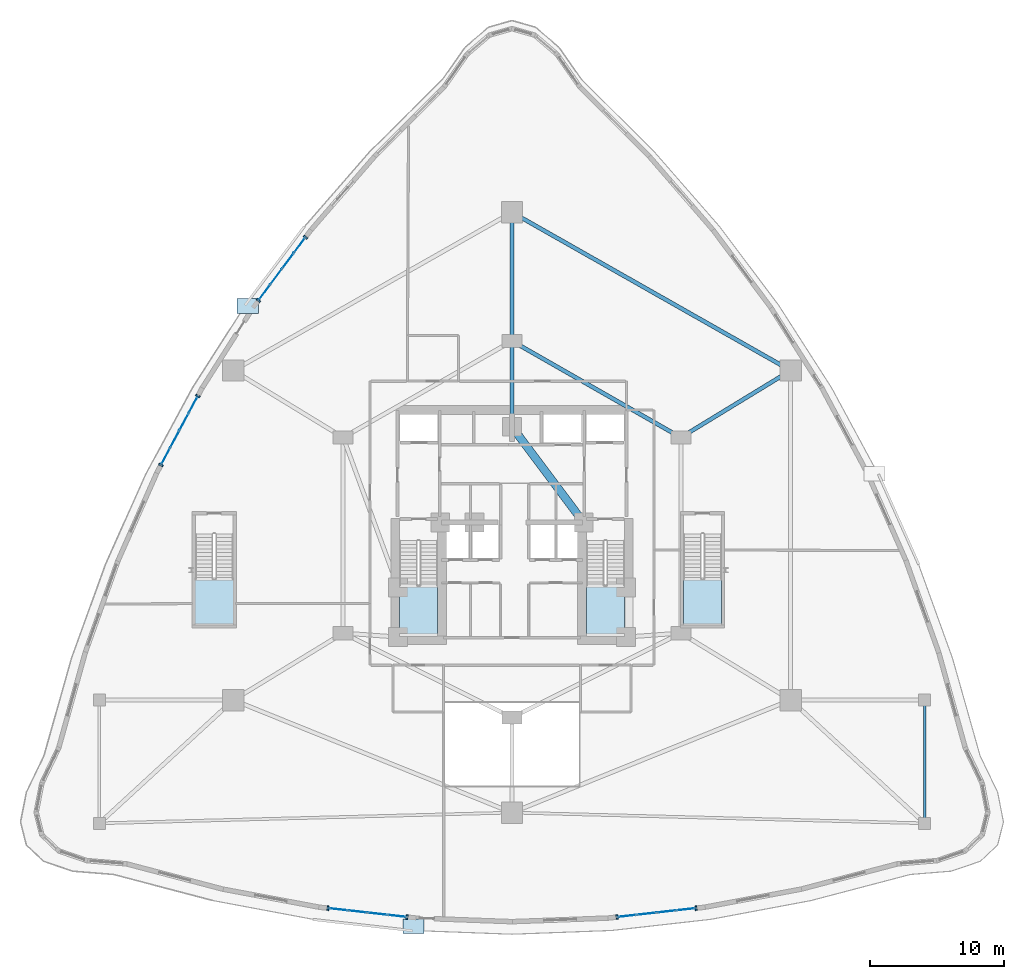
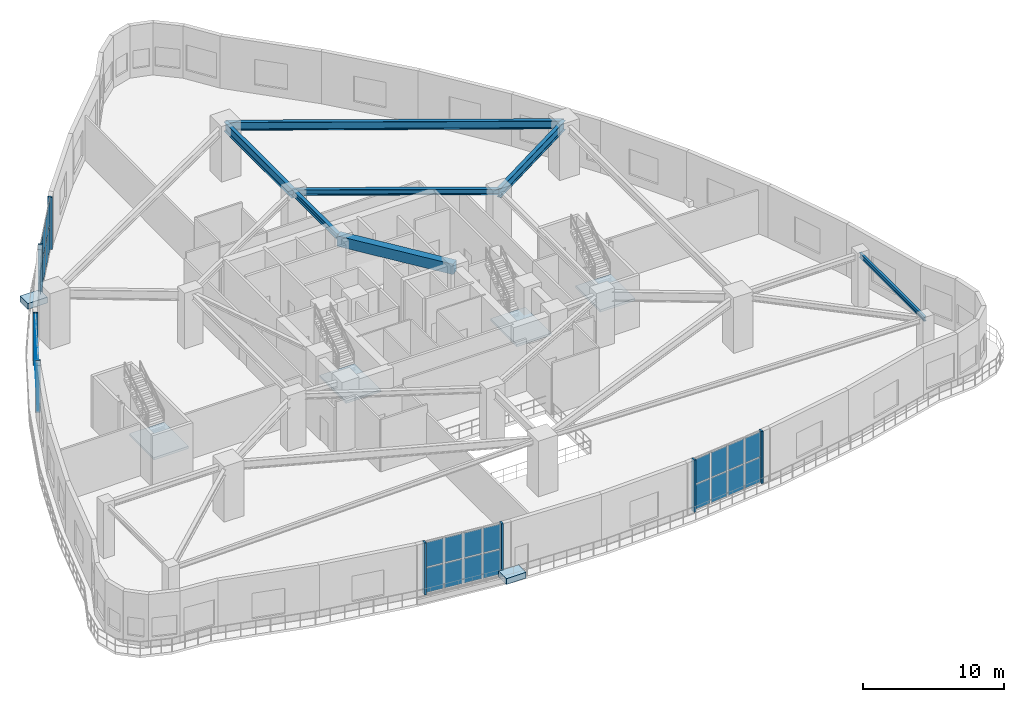
# One storey, part 13 of 25: 40 plates, 7 beams, 6 slabs, 8 elements without a shape of their own.
"""IFC4 building model written with IfcOpenShell, lengths in metres."""

from ifc_helpers import new_model, si_unit, direction, frame, origin, origin_2d, place, context, subcontext, project, spatial, polyline, rectangle, i_section, outline, extrude, material, layer, layer_set, material_profile, profile_set, type_object, element, aggregate, save


model = new_model("IFC4")

# Units and contexts
model_context = context("Model", 3, precision=1e-05, world=origin(), true_north=direction((0.0, 1.0)))
body_context = subcontext(model_context, "Body", "Model", "MODEL_VIEW")
ifc_project = project(units=[si_unit("LENGTHUNIT", "METRE"), si_unit("AREAUNIT", "SQUARE_METRE"), si_unit("VOLUMEUNIT", "CUBIC_METRE"), si_unit("PLANEANGLEUNIT", "RADIAN"), si_unit("MASSUNIT", "GRAM", prefix="KILO")], contexts=[model_context])

# Site, building, storey
site_placement = place(None, origin())
site = spatial("IfcSite", under=ifc_project, at=site_placement, CompositionType="ELEMENT")
building_placement = place(site_placement, origin())
building = spatial("IfcBuilding", under=site, at=building_placement, Name="Miruveldt Soraemaru", CompositionType="ELEMENT")
storey_placement = place(building_placement, frame((0.0, 0.0, 4.800048828125)))
storey = spatial("IfcBuildingStorey", under=building, at=storey_placement, Name="L02", CompositionType="ELEMENT", Elevation=4.800048828125)

# Beams
ifc_material_1 = material(Name="Concrete C60/75 (60 MPa)", Category="concrete")
ifc_material_profile_1 = material_profile(ifc_material_1, rectangle(XDim=0.60009765625, YDim=0.89990234375, at=origin_2d()), Name="Concrete C60/75 (60 MPa)", Category="concrete")
ifc_profile_set_1 = profile_set([ifc_material_profile_1], Name="Concrete C60/75 (60 MPa)")
beam_type_1 = type_object("IfcBeamType", Name="BM-RC-600x900", PredefinedType="BEAM", material=ifc_profile_set_1)
beam_1_placement = place(storey_placement, frame((49.35009765625, 44.050048828125, 4.050048828125), z_axis=(-0.599116023999, 0.800662219533, 0.0), x_axis=(-0.800662219533, -0.599116023999, 0.0)))
element("IfcBeam", 1, at=beam_1_placement, inside=storey, type_object=beam_type_1, Name="L02 Core Tie Beam 5", PredefinedType="BEAM", context=body_context, shape_type="SweptSolid", body=[
    extrude(rectangle(XDim=0.60009765625, YDim=0.89990234375, at=origin_2d()), origin(), (0.0, 0.0, 1.0), 8.929931640625),
])
ifc_material_2 = material(Name="Steel SM355 (355 MPa)", Category="steel")
ifc_material_profile_2 = material_profile(ifc_material_2, i_section(OverallWidth=0.199951171875, OverallDepth=0.39990234375, WebThickness=0.008056640625, FlangeThickness=0.012939453125, FilletRadius=0.01611328125, at=origin_2d()), Name="Steel SM355 (355 MPa)", Category="steel")
ifc_profile_set_2 = profile_set([ifc_material_profile_2], Name="Steel SM355 (355 MPa)")
beam_type_2 = type_object("IfcBeamType", Name="BM-ST-H400", PredefinedType="JOIST", material=ifc_profile_set_2)
beam_2_placement = place(storey_placement, frame((74.800048828125, 30.800048828125, 4.300048828125), z_axis=(0.0, -1.0, 0.0), x_axis=(1.0, 0.0, 0.0)))
element("IfcBeam", 2, at=beam_2_placement, inside=storey, type_object=beam_type_2, Name="L02 Podium East Bay Edge Beam", PredefinedType="JOIST", context=body_context, shape_type="SweptSolid", body=[
    extrude(i_section(OverallWidth=0.199951171875, OverallDepth=0.39990234375, WebThickness=0.008056640625, FlangeThickness=0.012939453125, FilletRadius=0.01611328125, at=origin_2d()), origin(), (0.0, 0.0, 1.0), 9.199951171875),
])
ifc_material_profile_3 = material_profile(ifc_material_2, i_section(OverallWidth=0.300048828125, OverallDepth=0.488037109375, WebThickness=0.010986328125, FlangeThickness=0.01806640625, FilletRadius=0.02587890625, at=origin_2d()), Name="Steel SM355 (355 MPa)", Category="steel")
ifc_profile_set_3 = profile_set([ifc_material_profile_3], Name="Steel SM355 (355 MPa)")
beam_type_3 = type_object("IfcBeamType", Name="BM-ST-H488", PredefinedType="BEAM", material=ifc_profile_set_3)
beam_3_placement = place(storey_placement, frame((44.0, 57.60009765625, 4.255859375), z_axis=(0.868239001029, -0.496146185203, 0.0), x_axis=(0.496146185203, 0.868239001029, 0.0)))
element("IfcBeam", 3, at=beam_3_placement, inside=storey, type_object=beam_type_3, Name="L02 Inner Ring Girder 1", PredefinedType="BEAM", context=body_context, shape_type="SweptSolid", body=[
    extrude(i_section(OverallWidth=0.300048828125, OverallDepth=0.488037109375, WebThickness=0.010986328125, FlangeThickness=0.01806640625, FilletRadius=0.02587890625, at=origin_2d()), origin(), (0.0, 0.0, 1.0), 14.51220703125),
])
beam_4_placement = place(storey_placement, frame((44.0, 51.199951171875, 4.255859375), z_axis=(0.0, 1.0, 0.0), x_axis=(-1.0, 0.0, 0.0)))
element("IfcBeam", 4, at=beam_4_placement, inside=storey, type_object=beam_type_3, Name="L02 Core-to-Inner Radial Girder 1", PredefinedType="BEAM", context=body_context, shape_type="SweptSolid", body=[
    extrude(i_section(OverallWidth=0.300048828125, OverallDepth=0.488037109375, WebThickness=0.010986328125, FlangeThickness=0.01806640625, FilletRadius=0.02587890625, at=origin_2d()), origin(), (0.0, 0.0, 1.0), 6.400146484375),
])
ifc_material_profile_4 = material_profile(ifc_material_2, i_section(OverallWidth=0.300048828125, OverallDepth=0.699951171875, WebThickness=0.012939453125, FlangeThickness=0.02392578125, FilletRadius=0.028076171875, at=origin_2d()), Name="Steel SM355 (355 MPa)", Category="steel")
ifc_profile_set_4 = profile_set([ifc_material_profile_4], Name="Steel SM355 (355 MPa)")
beam_type_4 = type_object("IfcBeamType", Name="BM-ST-H700", PredefinedType="BEAM", material=ifc_profile_set_4)
beam_5_placement = place(storey_placement, frame((44.0, 67.199951171875, 4.14990234375), z_axis=(0.869782551993, -0.493435215858, 0.0), x_axis=(0.493435215858, 0.869782551993, 0.0)))
element("IfcBeam", 5, at=beam_5_placement, inside=storey, type_object=beam_type_4, Name="L02 Podium Ring Girder 1", PredefinedType="BEAM", context=body_context, shape_type="SweptSolid", body=[
    extrude(i_section(OverallWidth=0.300048828125, OverallDepth=0.699951171875, WebThickness=0.012939453125, FlangeThickness=0.02392578125, FilletRadius=0.028076171875, at=origin_2d()), origin(), (0.0, 0.0, 1.0), 23.9140625),
])
ifc_material_3 = material(Name="Steel S460 (460 MPa)", Category="steel")
ifc_material_profile_5 = material_profile(ifc_material_3, i_section(OverallWidth=0.300048828125, OverallDepth=0.800048828125, WebThickness=0.013916015625, FlangeThickness=0.02587890625, FilletRadius=0.028076171875, at=origin_2d()), Name="Steel S460 (460 MPa)", Category="steel")
ifc_profile_set_5 = profile_set([ifc_material_profile_5], Name="Steel S460 (460 MPa)")
beam_type_5 = type_object("IfcBeamType", Name="BM-ST-H800", PredefinedType="BEAM", material=ifc_profile_set_5)
beam_6_placement = place(storey_placement, frame((44.0, 57.60009765625, 4.099853515625), z_axis=(0.0, 1.0, 0.0), x_axis=(-1.0, 0.0, 0.0)))
element("IfcBeam", 6, at=beam_6_placement, inside=storey, type_object=beam_type_5, Name="L02 Podium Radial Girder 1", PredefinedType="BEAM", context=body_context, shape_type="SweptSolid", body=[
    extrude(i_section(OverallWidth=0.300048828125, OverallDepth=0.800048828125, WebThickness=0.013916015625, FlangeThickness=0.02587890625, FilletRadius=0.028076171875, at=origin_2d()), origin(), (0.0, 0.0, 1.0), 9.599853515625),
])
beam_7_placement = place(storey_placement, frame((56.60009765625, 50.39990234375, 4.099853515625), z_axis=(0.853794797843, 0.520609684098, 0.0), x_axis=(-0.520609684098, 0.853794797843, 0.0)))
element("IfcBeam", 7, at=beam_7_placement, inside=storey, type_object=beam_type_5, Name="L02 Podium Radial Girder 2", PredefinedType="BEAM", context=body_context, shape_type="SweptSolid", body=[
    extrude(i_section(OverallWidth=0.300048828125, OverallDepth=0.800048828125, WebThickness=0.013916015625, FlangeThickness=0.02587890625, FilletRadius=0.028076171875, at=origin_2d()), origin(), (0.0, 0.0, 1.0), 9.60400390625),
])

# Curtain wall, plates
ifc_material_4 = material(Name="Anodised aluminium EN AW-6063 T6", Category="aluminium")
ifc_layer_1 = layer(ifc_material_4, 0.239990234375, Name="Anodised aluminium EN AW-6063 T6", Category="aluminium")
ifc_layer_set_1 = layer_set([ifc_layer_1], Name="Anodised aluminium EN AW-6063 T6")
curtain_wall_type = type_object("IfcCurtainWallType", Name="CW-SYS-1", PredefinedType="USERDEFINED", material=ifc_layer_set_1)
curtain_wall_1_placement = place(storey_placement, origin())
curtain_wall_1 = element("IfcCurtainWall", 8, at=curtain_wall_1_placement, inside=storey, type_object=curtain_wall_type, Name="L02 Curtain Wall Bay 9", ObjectType="STOREFRONT", PredefinedType="USERDEFINED")
ifc_material_5 = material(Name="Triple low-e insulated glazing", Category="glass")
ifc_layer_2 = layer(ifc_material_5, 0.035888671875, Name="Triple low-e insulated glazing", Category="glass")
ifc_layer_set_2 = layer_set([ifc_layer_2], Name="Triple low-e insulated glazing")
plate_type_1 = type_object("IfcPlateType", Name="CWP-1", PredefinedType="CURTAIN_PANEL", material=ifc_layer_set_2)
plate_1_placement = place(storey_placement, frame((28.136474609375, 64.739013671875, 0.080078125), z_axis=(0.0, 0.0, 1.0), x_axis=(-0.597187766416, -0.802101472161, 0.0)))
plate_1 = element("IfcPlate", 9, at=plate_1_placement, type_object=plate_type_1, Name="CW-1 panel 1.1", PredefinedType="CURTAIN_PANEL", context=body_context, shape_type="SweptSolid", body=[
    extrude(rectangle(XDim=1.351318359375, YDim=0.035888671875, at=origin_2d()), origin(), (0.0, 0.0, 1.0), 2.1298828125),
])
plate_2_placement = place(storey_placement, frame((28.136474609375, 64.739013671875, 2.2900390625), z_axis=(0.0, 0.0, 1.0), x_axis=(-0.597187766416, -0.802101472161, 0.0)))
plate_2 = element("IfcPlate", 10, at=plate_2_placement, type_object=plate_type_1, Name="CW-1 panel 1.2", PredefinedType="CURTAIN_PANEL", context=body_context, shape_type="SweptSolid", body=[
    extrude(rectangle(XDim=1.351318359375, YDim=0.035888671875, at=origin_2d()), origin(), (0.0, 0.0, 1.0), 2.1298828125),
])
plate_3_placement = place(storey_placement, frame((27.27001953125, 63.574951171875, 0.080078125), z_axis=(0.0, 0.0, 1.0), x_axis=(-0.597187766416, -0.802101472161, 0.0)))
plate_3 = element("IfcPlate", 11, at=plate_3_placement, type_object=plate_type_1, Name="CW-1 panel 2.1", PredefinedType="CURTAIN_PANEL", context=body_context, shape_type="SweptSolid", body=[
    extrude(rectangle(XDim=1.39111328125, YDim=0.035888671875, at=origin_2d()), origin(), (0.0, 0.0, 1.0), 2.1298828125),
])
plate_4_placement = place(storey_placement, frame((27.27001953125, 63.574951171875, 2.2900390625), z_axis=(0.0, 0.0, 1.0), x_axis=(-0.597187766416, -0.802101472161, 0.0)))
plate_4 = element("IfcPlate", 12, at=plate_4_placement, type_object=plate_type_1, Name="CW-1 panel 2.2", PredefinedType="CURTAIN_PANEL", context=body_context, shape_type="SweptSolid", body=[
    extrude(rectangle(XDim=1.39111328125, YDim=0.035888671875, at=origin_2d()), origin(), (0.0, 0.0, 1.0), 2.1298828125),
])
plate_5_placement = place(storey_placement, frame((26.391357421875, 62.39501953125, 0.080078125), z_axis=(0.0, 0.0, 1.0), x_axis=(-0.597187766416, -0.802101472161, 0.0)))
plate_5 = element("IfcPlate", 13, at=plate_5_placement, type_object=plate_type_1, Name="CW-1 panel 3.1", PredefinedType="CURTAIN_PANEL", context=body_context, shape_type="SweptSolid", body=[
    extrude(rectangle(XDim=1.39111328125, YDim=0.035888671875, at=origin_2d()), origin(), (0.0, 0.0, 1.0), 2.1298828125),
])
plate_6_placement = place(storey_placement, frame((26.391357421875, 62.39501953125, 2.2900390625), z_axis=(0.0, 0.0, 1.0), x_axis=(-0.597187766416, -0.802101472161, 0.0)))
plate_6 = element("IfcPlate", 14, at=plate_6_placement, type_object=plate_type_1, Name="CW-1 panel 3.2", PredefinedType="CURTAIN_PANEL", context=body_context, shape_type="SweptSolid", body=[
    extrude(rectangle(XDim=1.39111328125, YDim=0.035888671875, at=origin_2d()), origin(), (0.0, 0.0, 1.0), 2.1298828125),
])
plate_7_placement = place(storey_placement, frame((25.524658203125, 61.23095703125, 0.080078125), z_axis=(0.0, 0.0, 1.0), x_axis=(-0.597187766416, -0.802101472161, 0.0)))
plate_7 = element("IfcPlate", 15, at=plate_7_placement, type_object=plate_type_1, Name="CW-1 panel 4.1", PredefinedType="CURTAIN_PANEL", context=body_context, shape_type="SweptSolid", body=[
    extrude(rectangle(XDim=1.351318359375, YDim=0.035888671875, at=origin_2d()), origin(), (0.0, 0.0, 1.0), 2.1298828125),
])
plate_8_placement = place(storey_placement, frame((25.524658203125, 61.23095703125, 2.2900390625), z_axis=(0.0, 0.0, 1.0), x_axis=(-0.597187766416, -0.802101472161, 0.0)))
plate_8 = element("IfcPlate", 16, at=plate_8_placement, type_object=plate_type_1, Name="CW-1 panel 4.2", PredefinedType="CURTAIN_PANEL", context=body_context, shape_type="SweptSolid", body=[
    extrude(rectangle(XDim=1.351318359375, YDim=0.035888671875, at=origin_2d()), origin(), (0.0, 0.0, 1.0), 2.1298828125),
])
aggregate(curtain_wall_1, [plate_1, plate_2, plate_3, plate_4, plate_5, plate_6, plate_7, plate_8])

curtain_wall_2_placement = place(storey_placement, origin())
curtain_wall_2 = element("IfcCurtainWall", 17, at=curtain_wall_2_placement, inside=storey, type_object=curtain_wall_type, Name="L02 Curtain Wall Bay 11", ObjectType="STOREFRONT", PredefinedType="USERDEFINED")
plate_9_placement = place(storey_placement, frame((20.197509765625, 52.835205078125, 0.080078125), z_axis=(0.0, 0.0, 1.0), x_axis=(-0.471052590161, -0.88210512826, 0.0)))
plate_9 = element("IfcPlate", 18, at=plate_9_placement, type_object=plate_type_1, Name="CW-1 panel 1.1", PredefinedType="CURTAIN_PANEL", context=body_context, shape_type="SweptSolid", body=[
    extrude(rectangle(XDim=1.34130859375, YDim=0.035888671875, at=origin_2d()), origin(), (0.0, 0.0, 1.0), 2.1298828125),
])
plate_10_placement = place(storey_placement, frame((20.197509765625, 52.835205078125, 2.2900390625), z_axis=(0.0, 0.0, 1.0), x_axis=(-0.471052590161, -0.88210512826, 0.0)))
plate_10 = element("IfcPlate", 19, at=plate_10_placement, type_object=plate_type_1, Name="CW-1 panel 1.2", PredefinedType="CURTAIN_PANEL", context=body_context, shape_type="SweptSolid", body=[
    extrude(rectangle(XDim=1.34130859375, YDim=0.035888671875, at=origin_2d()), origin(), (0.0, 0.0, 1.0), 2.1298828125),
])
plate_11_placement = place(storey_placement, frame((19.5185546875, 51.56396484375, 0.080078125), z_axis=(0.0, 0.0, 1.0), x_axis=(-0.471052590161, -0.88210512826, 0.0)))
plate_11 = element("IfcPlate", 20, at=plate_11_placement, type_object=plate_type_1, Name="CW-1 panel 2.1", PredefinedType="CURTAIN_PANEL", context=body_context, shape_type="SweptSolid", body=[
    extrude(rectangle(XDim=1.38134765625, YDim=0.035888671875, at=origin_2d()), origin(), (0.0, 0.0, 1.0), 2.1298828125),
])
plate_12_placement = place(storey_placement, frame((19.5185546875, 51.56396484375, 2.2900390625), z_axis=(0.0, 0.0, 1.0), x_axis=(-0.471052590161, -0.88210512826, 0.0)))
plate_12 = element("IfcPlate", 21, at=plate_12_placement, type_object=plate_type_1, Name="CW-1 panel 2.2", PredefinedType="CURTAIN_PANEL", context=body_context, shape_type="SweptSolid", body=[
    extrude(rectangle(XDim=1.38134765625, YDim=0.035888671875, at=origin_2d()), origin(), (0.0, 0.0, 1.0), 2.1298828125),
])
plate_13_placement = place(storey_placement, frame((18.830078125, 50.27490234375, 0.080078125), z_axis=(0.0, 0.0, 1.0), x_axis=(-0.471052590161, -0.88210512826, 0.0)))
plate_13 = element("IfcPlate", 22, at=plate_13_placement, type_object=plate_type_1, Name="CW-1 panel 3.1", PredefinedType="CURTAIN_PANEL", context=body_context, shape_type="SweptSolid", body=[
    extrude(rectangle(XDim=1.38134765625, YDim=0.035888671875, at=origin_2d()), origin(), (0.0, 0.0, 1.0), 2.1298828125),
])
plate_14_placement = place(storey_placement, frame((18.830078125, 50.27490234375, 2.2900390625), z_axis=(0.0, 0.0, 1.0), x_axis=(-0.471052590161, -0.88210512826, 0.0)))
plate_14 = element("IfcPlate", 23, at=plate_14_placement, type_object=plate_type_1, Name="CW-1 panel 3.2", PredefinedType="CURTAIN_PANEL", context=body_context, shape_type="SweptSolid", body=[
    extrude(rectangle(XDim=1.38134765625, YDim=0.035888671875, at=origin_2d()), origin(), (0.0, 0.0, 1.0), 2.1298828125),
])
plate_15_placement = place(storey_placement, frame((18.1513671875, 49.003662109375, 0.080078125), z_axis=(0.0, 0.0, 1.0), x_axis=(-0.471052590161, -0.88210512826, 0.0)))
plate_15 = element("IfcPlate", 24, at=plate_15_placement, type_object=plate_type_1, Name="CW-1 panel 4.1", PredefinedType="CURTAIN_PANEL", context=body_context, shape_type="SweptSolid", body=[
    extrude(rectangle(XDim=1.34130859375, YDim=0.035888671875, at=origin_2d()), origin(), (0.0, 0.0, 1.0), 2.1298828125),
])
plate_16_placement = place(storey_placement, frame((18.1513671875, 49.003662109375, 2.2900390625), z_axis=(0.0, 0.0, 1.0), x_axis=(-0.471052590161, -0.88210512826, 0.0)))
plate_16 = element("IfcPlate", 25, at=plate_16_placement, type_object=plate_type_1, Name="CW-1 panel 4.2", PredefinedType="CURTAIN_PANEL", context=body_context, shape_type="SweptSolid", body=[
    extrude(rectangle(XDim=1.34130859375, YDim=0.035888671875, at=origin_2d()), origin(), (0.0, 0.0, 1.0), 2.1298828125),
])
aggregate(curtain_wall_2, [plate_9, plate_10, plate_11, plate_12, plate_13, plate_14, plate_15, plate_16])

curtain_wall_3_placement = place(storey_placement, origin())
curtain_wall_3 = element("IfcCurtainWall", 26, at=curtain_wall_3_placement, inside=storey, type_object=curtain_wall_type, Name="L02 Curtain Wall Bay 23", ObjectType="STOREFRONT", PredefinedType="USERDEFINED")
plate_17_placement = place(storey_placement, frame((31.01611328125, 15.179443359375, 0.080078125), z_axis=(0.0, 0.0, 1.0), x_axis=(0.993732298173, -0.111786043709, 0.0)))
plate_17 = element("IfcPlate", 27, at=plate_17_placement, type_object=plate_type_1, Name="CW-1 panel 1.1", PredefinedType="CURTAIN_PANEL", context=body_context, shape_type="SweptSolid", body=[
    extrude(rectangle(XDim=1.36474609375, YDim=0.035888671875, at=origin_2d()), origin(), (0.0, 0.0, 1.0), 2.1298828125),
])
plate_18_placement = place(storey_placement, frame((31.01611328125, 15.179443359375, 2.2900390625), z_axis=(0.0, 0.0, 1.0), x_axis=(0.993732298173, -0.111786043709, 0.0)))
plate_18 = element("IfcPlate", 28, at=plate_18_placement, type_object=plate_type_1, Name="CW-1 panel 1.2", PredefinedType="CURTAIN_PANEL", context=body_context, shape_type="SweptSolid", body=[
    extrude(rectangle(XDim=1.36474609375, YDim=0.035888671875, at=origin_2d()), origin(), (0.0, 0.0, 1.0), 2.1298828125),
])
plate_19_placement = place(storey_placement, frame((32.4716796875, 15.015625, 0.080078125), z_axis=(0.0, 0.0, 1.0), x_axis=(0.993732298173, -0.111786043709, 0.0)))
plate_19 = element("IfcPlate", 29, at=plate_19_placement, type_object=plate_type_1, Name="CW-1 panel 2.1", PredefinedType="CURTAIN_PANEL", context=body_context, shape_type="SweptSolid", body=[
    extrude(rectangle(XDim=1.40478515625, YDim=0.035888671875, at=origin_2d()), origin(), (0.0, 0.0, 1.0), 2.1298828125),
])
plate_20_placement = place(storey_placement, frame((32.4716796875, 15.015625, 2.2900390625), z_axis=(0.0, 0.0, 1.0), x_axis=(0.993732298173, -0.111786043709, 0.0)))
plate_20 = element("IfcPlate", 30, at=plate_20_placement, type_object=plate_type_1, Name="CW-1 panel 2.2", PredefinedType="CURTAIN_PANEL", context=body_context, shape_type="SweptSolid", body=[
    extrude(rectangle(XDim=1.40478515625, YDim=0.035888671875, at=origin_2d()), origin(), (0.0, 0.0, 1.0), 2.1298828125),
])
plate_21_placement = place(storey_placement, frame((33.947265625, 14.849853515625, 0.080078125), z_axis=(0.0, 0.0, 1.0), x_axis=(0.993732298173, -0.111786043709, 0.0)))
plate_21 = element("IfcPlate", 31, at=plate_21_placement, type_object=plate_type_1, Name="CW-1 panel 3.1", PredefinedType="CURTAIN_PANEL", context=body_context, shape_type="SweptSolid", body=[
    extrude(rectangle(XDim=1.40478515625, YDim=0.035888671875, at=origin_2d()), origin(), (0.0, 0.0, 1.0), 2.1298828125),
])
plate_22_placement = place(storey_placement, frame((33.947265625, 14.849853515625, 2.2900390625), z_axis=(0.0, 0.0, 1.0), x_axis=(0.993732298173, -0.111786043709, 0.0)))
plate_22 = element("IfcPlate", 32, at=plate_22_placement, type_object=plate_type_1, Name="CW-1 panel 3.2", PredefinedType="CURTAIN_PANEL", context=body_context, shape_type="SweptSolid", body=[
    extrude(rectangle(XDim=1.40478515625, YDim=0.035888671875, at=origin_2d()), origin(), (0.0, 0.0, 1.0), 2.1298828125),
])
plate_23_placement = place(storey_placement, frame((35.40283203125, 14.68603515625, 0.080078125), z_axis=(0.0, 0.0, 1.0), x_axis=(0.993732298173, -0.111786043709, 0.0)))
plate_23 = element("IfcPlate", 33, at=plate_23_placement, type_object=plate_type_1, Name="CW-1 panel 4.1", PredefinedType="CURTAIN_PANEL", context=body_context, shape_type="SweptSolid", body=[
    extrude(rectangle(XDim=1.36474609375, YDim=0.035888671875, at=origin_2d()), origin(), (0.0, 0.0, 1.0), 2.1298828125),
])
plate_24_placement = place(storey_placement, frame((35.40283203125, 14.68603515625, 2.2900390625), z_axis=(0.0, 0.0, 1.0), x_axis=(0.993732298173, -0.111786043709, 0.0)))
plate_24 = element("IfcPlate", 34, at=plate_24_placement, type_object=plate_type_1, Name="CW-1 panel 4.2", PredefinedType="CURTAIN_PANEL", context=body_context, shape_type="SweptSolid", body=[
    extrude(rectangle(XDim=1.36474609375, YDim=0.035888671875, at=origin_2d()), origin(), (0.0, 0.0, 1.0), 2.1298828125),
])
aggregate(curtain_wall_3, [plate_17, plate_18, plate_19, plate_20, plate_21, plate_22, plate_23, plate_24])

curtain_wall_4_placement = place(storey_placement, origin())
curtain_wall_4 = element("IfcCurtainWall", 35, at=curtain_wall_4_placement, inside=storey, type_object=curtain_wall_type, Name="L02 Curtain Wall Bay 26", ObjectType="STOREFRONT", PredefinedType="USERDEFINED")
plate_25_placement = place(storey_placement, frame((52.59716796875, 14.68603515625, 0.080078125), z_axis=(0.0, 0.0, 1.0), x_axis=(0.993732298173, 0.111786043709, 0.0)))
plate_25 = element("IfcPlate", 36, at=plate_25_placement, type_object=plate_type_1, Name="CW-1 panel 1.1", PredefinedType="CURTAIN_PANEL", context=body_context, shape_type="SweptSolid", body=[
    extrude(rectangle(XDim=1.36474609375, YDim=0.035888671875, at=origin_2d()), origin(), (0.0, 0.0, 1.0), 2.1298828125),
])
plate_26_placement = place(storey_placement, frame((52.59716796875, 14.68603515625, 2.2900390625), z_axis=(0.0, 0.0, 1.0), x_axis=(0.993732298173, 0.111786043709, 0.0)))
plate_26 = element("IfcPlate", 37, at=plate_26_placement, type_object=plate_type_1, Name="CW-1 panel 1.2", PredefinedType="CURTAIN_PANEL", context=body_context, shape_type="SweptSolid", body=[
    extrude(rectangle(XDim=1.36474609375, YDim=0.035888671875, at=origin_2d()), origin(), (0.0, 0.0, 1.0), 2.1298828125),
])
plate_27_placement = place(storey_placement, frame((54.052734375, 14.849853515625, 0.080078125), z_axis=(0.0, 0.0, 1.0), x_axis=(0.993732298173, 0.111786043709, 0.0)))
plate_27 = element("IfcPlate", 38, at=plate_27_placement, type_object=plate_type_1, Name="CW-1 panel 2.1", PredefinedType="CURTAIN_PANEL", context=body_context, shape_type="SweptSolid", body=[
    extrude(rectangle(XDim=1.40478515625, YDim=0.035888671875, at=origin_2d()), origin(), (0.0, 0.0, 1.0), 2.1298828125),
])
plate_28_placement = place(storey_placement, frame((54.052734375, 14.849853515625, 2.2900390625), z_axis=(0.0, 0.0, 1.0), x_axis=(0.993732298173, 0.111786043709, 0.0)))
plate_28 = element("IfcPlate", 39, at=plate_28_placement, type_object=plate_type_1, Name="CW-1 panel 2.2", PredefinedType="CURTAIN_PANEL", context=body_context, shape_type="SweptSolid", body=[
    extrude(rectangle(XDim=1.40478515625, YDim=0.035888671875, at=origin_2d()), origin(), (0.0, 0.0, 1.0), 2.1298828125),
])
plate_29_placement = place(storey_placement, frame((55.528076171875, 15.015625, 0.080078125), z_axis=(0.0, 0.0, 1.0), x_axis=(0.993732298173, 0.111786043709, 0.0)))
plate_29 = element("IfcPlate", 40, at=plate_29_placement, type_object=plate_type_1, Name="CW-1 panel 3.1", PredefinedType="CURTAIN_PANEL", context=body_context, shape_type="SweptSolid", body=[
    extrude(rectangle(XDim=1.40478515625, YDim=0.035888671875, at=origin_2d()), origin(), (0.0, 0.0, 1.0), 2.1298828125),
])
plate_30_placement = place(storey_placement, frame((55.528076171875, 15.015625, 2.2900390625), z_axis=(0.0, 0.0, 1.0), x_axis=(0.993732298173, 0.111786043709, 0.0)))
plate_30 = element("IfcPlate", 41, at=plate_30_placement, type_object=plate_type_1, Name="CW-1 panel 3.2", PredefinedType="CURTAIN_PANEL", context=body_context, shape_type="SweptSolid", body=[
    extrude(rectangle(XDim=1.40478515625, YDim=0.035888671875, at=origin_2d()), origin(), (0.0, 0.0, 1.0), 2.1298828125),
])
plate_31_placement = place(storey_placement, frame((56.983642578125, 15.179443359375, 0.080078125), z_axis=(0.0, 0.0, 1.0), x_axis=(0.993732298173, 0.111786043709, 0.0)))
plate_31 = element("IfcPlate", 42, at=plate_31_placement, type_object=plate_type_1, Name="CW-1 panel 4.1", PredefinedType="CURTAIN_PANEL", context=body_context, shape_type="SweptSolid", body=[
    extrude(rectangle(XDim=1.36474609375, YDim=0.035888671875, at=origin_2d()), origin(), (0.0, 0.0, 1.0), 2.1298828125),
])
plate_32_placement = place(storey_placement, frame((56.983642578125, 15.179443359375, 2.2900390625), z_axis=(0.0, 0.0, 1.0), x_axis=(0.993732298173, 0.111786043709, 0.0)))
plate_32 = element("IfcPlate", 43, at=plate_32_placement, type_object=plate_type_1, Name="CW-1 panel 4.2", PredefinedType="CURTAIN_PANEL", context=body_context, shape_type="SweptSolid", body=[
    extrude(rectangle(XDim=1.36474609375, YDim=0.035888671875, at=origin_2d()), origin(), (0.0, 0.0, 1.0), 2.1298828125),
])
aggregate(curtain_wall_4, [plate_25, plate_26, plate_27, plate_28, plate_29, plate_30, plate_31, plate_32])

# Plates
ifc_layer_3 = layer(ifc_material_4, 0.030029296875, Name="Anodised aluminium EN AW-6063 T6", Category="aluminium")
ifc_layer_set_3 = layer_set([ifc_layer_3], Name="Anodised aluminium EN AW-6063 T6")
plate_type_2 = type_object("IfcPlateType", Name="PLT-JAMB-30", PredefinedType="SHEET", material=ifc_layer_set_3)
for number, where, z_axis, x_axis, name in (
    (44, (28.587890625, 65.34521484375, 0.0), (0.0, 0.0, 1.0), (-0.597191257153, -0.802098873195, 0.0), "L02 Curtain Wall Jamb Closure Trim 9JL"),
    (45, (25.073486328125, 60.624755859375, 0.0), (0.0, 0.0, 1.0), (-0.597191257153, -0.802098873195, 0.0), "L02 Curtain Wall Jamb Closure Trim 9JR"),
    (46, (20.551025390625, 53.497314453125, 0.0), (0.0, 0.0, 1.0), (-0.471058068628, -0.882102202684, 0.0), "L02 Curtain Wall Jamb Closure Trim 11JL"),
    (47, (17.797607421875, 48.341552734375, 0.0), (0.0, 0.0, 1.0), (-0.471058068628, -0.882102202684, 0.0), "L02 Curtain Wall Jamb Closure Trim 11JR"),
    (48, (30.258544921875, 15.2646484375, 0.0), (0.0, 0.0, 1.0), (0.993730900023, -0.111798471993, 0.0), "L02 Curtain Wall Jamb Closure Trim 23JL"),
    (49, (36.160400390625, 14.600830078125, 0.0), (0.0, 0.0, 1.0), (0.993730900023, -0.111798471993, 0.0), "L02 Curtain Wall Jamb Closure Trim 23JR"),
    (50, (51.839599609375, 14.600830078125, 0.0), (0.0, 0.0, 1.0), (0.993730900023, 0.111798471993, 0.0), "L02 Curtain Wall Jamb Closure Trim 26JL"),
    (51, (57.7412109375, 15.2646484375, 0.0), (0.0, 0.0, 1.0), (0.993730900023, 0.111798471993, 0.0), "L02 Curtain Wall Jamb Closure Trim 26JR"),
):
    element("IfcPlate", number, at=place(storey_placement, frame(where, z_axis=z_axis, x_axis=x_axis)), inside=storey, type_object=plate_type_2, Name=name, PredefinedType="SHEET", context=body_context, shape_type="SweptSolid", body=[
        extrude(rectangle(XDim=0.139892578125, YDim=0.340087890625, at=origin_2d()), origin(), (0.0, 0.0, 1.0), 4.5),
    ])

# Stair, slab
ifc_material_6 = material(Name="Concrete C40/50 (40 MPa)", Category="concrete")
stair_type_1 = type_object("IfcStairType", Name="STAIR-DL-480", PredefinedType="HALF_TURN_STAIR", material=ifc_material_6)
stair_1_placement = place(storey_placement, origin())
stair_1 = element("IfcStair", 52, at=stair_1_placement, inside=storey, type_object=stair_type_1, Name="L02 Protected Exit Stair ST-1", PredefinedType="HALF_TURN_STAIR")
ifc_layer_4 = layer(ifc_material_6, 0.199951171875, Name="Concrete C40/50 (40 MPa)", Category="concrete")
ifc_layer_set_4 = layer_set([ifc_layer_4], Name="Concrete C40/50 (40 MPa)")
slab_type_1 = type_object("IfcSlabType", Name="SLAB-LAND-200", PredefinedType="LANDING", material=ifc_layer_set_4)
slab_1_placement = place(storey_placement, frame((0.0, 0.0, 2.199951171875)))
slab_1 = element("IfcSlab", 53, at=slab_1_placement, type_object=slab_type_1, Name="ST-1 landing 1", PredefinedType="LANDING", context=body_context, shape_type="SweptSolid", body=[
    extrude(outline(polyline([(35.60009765625, 39.35791015625), (35.60009765625, 35.64990234375), (38.449951171875, 35.64990234375), (38.449951171875, 39.35791015625), (35.60009765625, 39.35791015625)])), origin(), (0.0, 0.0, 1.0), 0.199951171875),
])
aggregate(stair_1, [slab_1])

stair_2_placement = place(storey_placement, origin())
stair_2 = element("IfcStair", 54, at=stair_2_placement, inside=storey, type_object=stair_type_1, Name="L02 Protected Exit Stair ST-2", PredefinedType="HALF_TURN_STAIR")
slab_2_placement = place(storey_placement, frame((0.0, 0.0, 2.199951171875)))
slab_2 = element("IfcSlab", 55, at=slab_2_placement, type_object=slab_type_1, Name="ST-2 landing 1", PredefinedType="LANDING", context=body_context, shape_type="SweptSolid", body=[
    extrude(outline(polyline([(49.550048828125, 39.35791015625), (49.550048828125, 35.64990234375), (52.39990234375, 35.64990234375), (52.39990234375, 39.35791015625), (49.550048828125, 39.35791015625)])), origin(), (0.0, 0.0, 1.0), 0.199951171875),
])
aggregate(stair_2, [slab_2])

stair_3_placement = place(storey_placement, origin())
stair_3 = element("IfcStair", 56, at=stair_3_placement, inside=storey, type_object=stair_type_1, Name="L02 Podium Protected Exit Stair ST-3", PredefinedType="HALF_TURN_STAIR")
slab_3_placement = place(storey_placement, frame((0.0, 0.0, 2.199951171875)))
slab_3 = element("IfcSlab", 57, at=slab_3_placement, type_object=slab_type_1, Name="ST-3 landing 1", PredefinedType="LANDING", context=body_context, shape_type="SweptSolid", body=[
    extrude(outline(polyline([(20.35009765625, 39.85791015625), (20.35009765625, 36.39990234375), (23.199951171875, 36.39990234375), (23.199951171875, 39.85791015625), (20.35009765625, 39.85791015625)])), origin(), (0.0, 0.0, 1.0), 0.199951171875),
])
aggregate(stair_3, [slab_3])

ifc_material_7 = material(Name="Steel S355 (355 MPa)", Category="steel")
stair_type_2 = type_object("IfcStairType", Name="STAIR-FEAT-STR", PredefinedType="TWO_STRAIGHT_RUN_STAIR", material=ifc_material_7)
stair_4_placement = place(storey_placement, origin())
stair_4 = element("IfcStair", 58, at=stair_4_placement, inside=storey, type_object=stair_type_2, Name="L02 Podium Garden Feature Stair ST-4", PredefinedType="TWO_STRAIGHT_RUN_STAIR")
slab_4_placement = place(storey_placement, frame((0.0, 0.0, 2.199951171875)))
slab_4 = element("IfcSlab", 59, at=slab_4_placement, type_object=slab_type_1, Name="ST-4 landing 1", PredefinedType="LANDING", context=body_context, shape_type="SweptSolid", body=[
    extrude(outline(polyline([(56.800048828125, 39.85791015625), (56.800048828125, 36.39990234375), (59.64990234375, 36.39990234375), (59.64990234375, 39.85791015625), (56.800048828125, 39.85791015625)])), origin(), (0.0, 0.0, 1.0), 0.199951171875),
])
aggregate(stair_4, [slab_4])

# Slabs
ifc_material_8 = material(Name="Precast concrete C45/55 (45 MPa)", Category="concrete")
ifc_layer_5 = layer(ifc_material_8, 0.179931640625, Name="Precast concrete C45/55 (45 MPa)", Category="concrete")
ifc_layer_set_5 = layer_set([ifc_layer_5], Name="Precast concrete C45/55 (45 MPa)")
slab_type_2 = type_object("IfcSlabType", Name="SLAB-PLTR-180", PredefinedType="USERDEFINED", material=ifc_layer_set_5)
slab_5_placement = place(storey_placement, origin())
element("IfcSlab", 60, at=slab_5_placement, inside=storey, type_object=slab_type_2, Name="L02 Terrace Planter Bed PLANTER 1", ObjectType="PLANTER", PredefinedType="USERDEFINED", context=body_context, shape_type="SweptSolid", body=[
    extrude(outline(polyline([(23.489013671875, 59.659912109375), (25.089111328125, 59.659912109375), (25.089111328125, 60.760009765625), (23.489013671875, 60.760009765625), (23.489013671875, 59.659912109375)])), origin(), (0.0, 0.0, 1.0), 0.5),
])
slab_6_placement = place(storey_placement, origin())
element("IfcSlab", 61, at=slab_6_placement, inside=storey, type_object=slab_type_2, Name="L02 Terrace Planter Bed PLANTER 2", ObjectType="PLANTER", PredefinedType="USERDEFINED", context=body_context, shape_type="SweptSolid", body=[
    extrude(outline(polyline([(35.85009765625, 13.363037109375), (37.449951171875, 13.363037109375), (37.449951171875, 14.462890625), (35.85009765625, 14.462890625), (35.85009765625, 13.363037109375)])), origin(), (0.0, 0.0, 1.0), 0.5),
])

save(model, "model.ifc")
